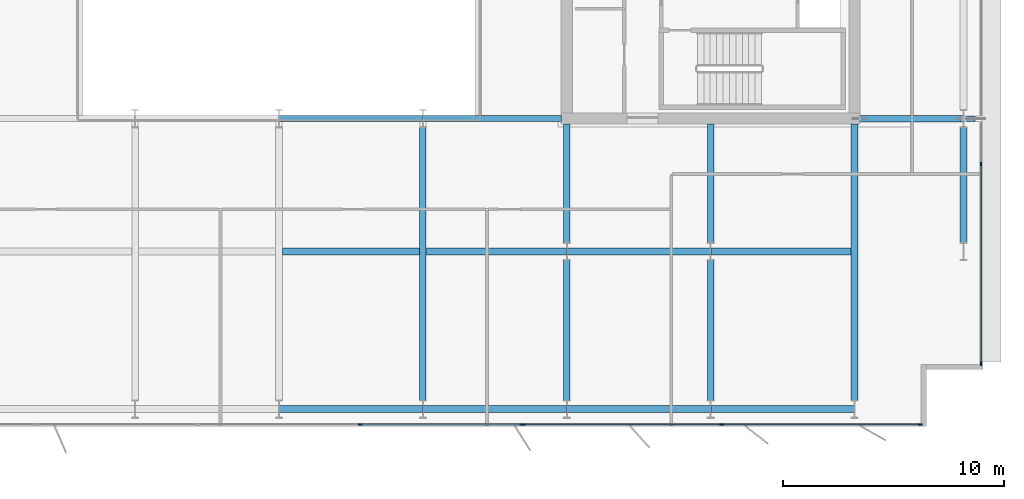
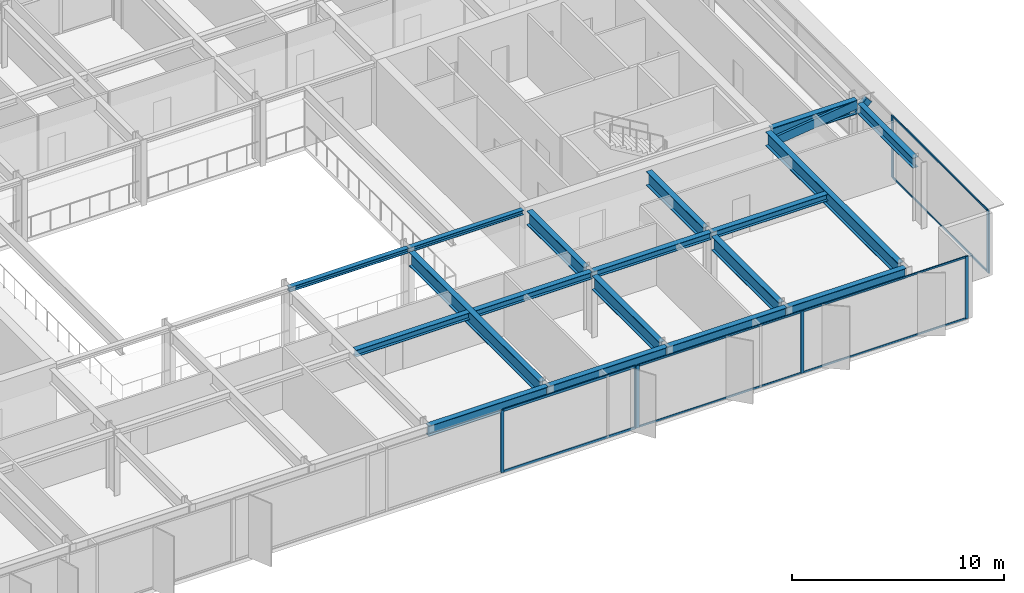
# One storey, part 5 of 19: 18 beams, 17 members, 3 elements without a shape of their own.
"""IFC4 building model written with IfcOpenShell, lengths in metres."""

from ifc_helpers import new_model, si_unit, direction, frame, origin, origin_2d, place, context, subcontext, project, spatial, rectangle, hollow_rectangle, i_section, extrude, material, layer, layer_set, material_profile, profile_set, type_object, element, aggregate, save


model = new_model("IFC4")

# Units and contexts
model_context = context("Model", 3, precision=1e-05, world=origin(), true_north=direction((0.0, 1.0)))
body_context = subcontext(model_context, "Body", "Model", "MODEL_VIEW")
ifc_project = project(units=[si_unit("LENGTHUNIT", "METRE"), si_unit("AREAUNIT", "SQUARE_METRE"), si_unit("VOLUMEUNIT", "CUBIC_METRE"), si_unit("PLANEANGLEUNIT", "RADIAN"), si_unit("MASSUNIT", "GRAM", prefix="KILO")], contexts=[model_context])

# Site, building, storey
site_placement = place(None, origin())
site = spatial("IfcSite", under=ifc_project, at=site_placement, CompositionType="ELEMENT")
building_placement = place(site_placement, origin())
building = spatial("IfcBuilding", under=site, at=building_placement, Name="Putna Gate Headquarters", CompositionType="ELEMENT")
storey_placement = place(building_placement, frame((0.0, 0.0, 255.60009765625)))
storey = spatial("IfcBuildingStorey", under=building, at=storey_placement, Name="L64", CompositionType="ELEMENT", Elevation=255.60009765625)

# Beams
ifc_material_1 = material(Name="Steel S355J2", Category="steel")
ifc_material_profile_1 = material_profile(ifc_material_1, i_section(OverallWidth=0.260009765625, OverallDepth=0.260009765625, WebThickness=0.010009765625, FlangeThickness=0.017578125, at=origin_2d()), Name="Steel S355J2")
ifc_profile_set_1 = profile_set([ifc_material_profile_1], Name="Steel S355J2")
beam_type_1 = type_object("IfcBeamType", Name="BM-ATRIUM-HEB260", PredefinedType="BEAM", material=ifc_profile_set_1)
beam_1_placement = place(storey_placement, frame((39.006103515625, 19.0, 3.4580078125), z_axis=(1.0, 0.0, 0.0), x_axis=(0.0, 1.0, 0.0)))
element("IfcBeam", 1, at=beam_1_placement, inside=storey, type_object=beam_type_1, Name="L64 Atrium Edge Beam AS3", PredefinedType="BEAM", context=body_context, shape_type="SweptSolid", body=[
    extrude(i_section(OverallWidth=0.260009765625, OverallDepth=0.260009765625, WebThickness=0.010009765625, FlangeThickness=0.017578125, at=origin_2d()), origin(), (0.0, 0.0, 1.0), 6.48779296875),
])
beam_2_placement = place(storey_placement, frame((45.506103515625, 19.0, 3.4580078125), z_axis=(1.0, 0.0, 0.0), x_axis=(0.0, 1.0, 0.0)))
element("IfcBeam", 2, at=beam_2_placement, inside=storey, type_object=beam_type_1, Name="L64 Atrium Edge Beam AS4", PredefinedType="BEAM", context=body_context, shape_type="SweptSolid", body=[
    extrude(i_section(OverallWidth=0.260009765625, OverallDepth=0.260009765625, WebThickness=0.010009765625, FlangeThickness=0.017578125, at=origin_2d()), origin(), (0.0, 0.0, 1.0), 6.2587890625),
])
ifc_material_profile_2 = material_profile(ifc_material_1, i_section(OverallWidth=0.300048828125, OverallDepth=0.800048828125, WebThickness=0.017578125, FlangeThickness=0.032958984375, at=origin_2d()), Name="Steel S355J2")
ifc_profile_set_2 = profile_set([ifc_material_profile_2], Name="Steel S355J2")
beam_type_2 = type_object("IfcBeamType", Name="BM-GIRD-P-HEB800", PredefinedType="USERDEFINED", material=ifc_profile_set_2)
beam_3_placement = place(storey_placement, frame((65.235107421875, 19.0, 3.18798828125), z_axis=(1.0, 0.0, 0.0), x_axis=(0.0, 1.0, 0.0)))
element("IfcBeam", 3, at=beam_3_placement, inside=storey, type_object=beam_type_2, Name="L64 East Wing Girder Y19", ObjectType="GIRDER", PredefinedType="USERDEFINED", context=body_context, shape_type="SweptSolid", body=[
    extrude(i_section(OverallWidth=0.300048828125, OverallDepth=0.800048828125, WebThickness=0.017578125, FlangeThickness=0.032958984375, at=origin_2d()), origin(), (0.0, 0.0, 1.0), 4.678955078125),
])
beam_4_placement = place(storey_placement, frame((45.5, 6.27490234375, 3.18798828125), z_axis=(0.0, 1.0, 0.0), x_axis=(-1.0, 0.0, 0.0)))
element("IfcBeam", 4, at=beam_4_placement, inside=storey, type_object=beam_type_2, Name="L64 South Primary Girder X45", ObjectType="GIRDER", PredefinedType="USERDEFINED", context=body_context, shape_type="SweptSolid", body=[
    extrude(i_section(OverallWidth=0.300048828125, OverallDepth=0.800048828125, WebThickness=0.017578125, FlangeThickness=0.032958984375, at=origin_2d()), origin(), (0.0, 0.0, 1.0), 12.330078125),
])
beam_5_placement = place(storey_placement, frame((52.0, 6.27490234375, 3.18798828125), z_axis=(0.0, 1.0, 0.0), x_axis=(-1.0, 0.0, 0.0)))
element("IfcBeam", 5, at=beam_5_placement, inside=storey, type_object=beam_type_2, Name="L64 South Primary Girder X52-1", ObjectType="GIRDER", PredefinedType="USERDEFINED", context=body_context, shape_type="SweptSolid", body=[
    extrude(i_section(OverallWidth=0.300048828125, OverallDepth=0.800048828125, WebThickness=0.017578125, FlangeThickness=0.032958984375, at=origin_2d()), origin(), (0.0, 0.0, 1.0), 6.330078125),
])
beam_6_placement = place(storey_placement, frame((52.0, 13.39501953125, 3.18798828125), z_axis=(0.0, 1.0, 0.0), x_axis=(-1.0, 0.0, 0.0)))
element("IfcBeam", 6, at=beam_6_placement, inside=storey, type_object=beam_type_2, Name="L64 South Primary Girder X52-2", ObjectType="GIRDER", PredefinedType="USERDEFINED", context=body_context, shape_type="SweptSolid", body=[
    extrude(i_section(OverallWidth=0.300048828125, OverallDepth=0.800048828125, WebThickness=0.017578125, FlangeThickness=0.032958984375, at=origin_2d()), origin(), (0.0, 0.0, 1.0), 5.369873046875),
])
beam_7_placement = place(storey_placement, frame((58.5, 6.27490234375, 3.18798828125), z_axis=(0.0, 1.0, 0.0), x_axis=(-1.0, 0.0, 0.0)))
element("IfcBeam", 7, at=beam_7_placement, inside=storey, type_object=beam_type_2, Name="L64 South Primary Girder X58-1", ObjectType="GIRDER", PredefinedType="USERDEFINED", context=body_context, shape_type="SweptSolid", body=[
    extrude(i_section(OverallWidth=0.300048828125, OverallDepth=0.800048828125, WebThickness=0.017578125, FlangeThickness=0.032958984375, at=origin_2d()), origin(), (0.0, 0.0, 1.0), 6.330078125),
])
beam_8_placement = place(storey_placement, frame((58.5, 13.39501953125, 3.18798828125), z_axis=(0.0, 1.0, 0.0), x_axis=(-1.0, 0.0, 0.0)))
element("IfcBeam", 8, at=beam_8_placement, inside=storey, type_object=beam_type_2, Name="L64 South Primary Girder X58-2", ObjectType="GIRDER", PredefinedType="USERDEFINED", context=body_context, shape_type="SweptSolid", body=[
    extrude(i_section(OverallWidth=0.300048828125, OverallDepth=0.800048828125, WebThickness=0.017578125, FlangeThickness=0.032958984375, at=origin_2d()), origin(), (0.0, 0.0, 1.0), 5.369873046875),
])
beam_9_placement = place(storey_placement, frame((65.0, 6.27490234375, 3.18798828125), z_axis=(0.0, 1.0, 0.0), x_axis=(-1.0, 0.0, 0.0)))
element("IfcBeam", 9, at=beam_9_placement, inside=storey, type_object=beam_type_2, Name="L64 South Primary Girder X65", ObjectType="GIRDER", PredefinedType="USERDEFINED", context=body_context, shape_type="SweptSolid", body=[
    extrude(i_section(OverallWidth=0.300048828125, OverallDepth=0.800048828125, WebThickness=0.017578125, FlangeThickness=0.032958984375, at=origin_2d()), origin(), (0.0, 0.0, 1.0), 12.489990234375),
])
ifc_material_profile_3 = material_profile(ifc_material_1, i_section(OverallWidth=0.300048828125, OverallDepth=0.389892578125, WebThickness=0.010986328125, FlangeThickness=0.01904296875, at=origin_2d()), Name="Steel S355J2")
ifc_profile_set_3 = profile_set([ifc_material_profile_3], Name="Steel S355J2")
beam_type_3 = type_object("IfcBeamType", Name="BM-SEC-Z5-HEA400", PredefinedType="BEAM", material=ifc_profile_set_3)
beam_10_placement = place(storey_placement, frame((39.154052734375, 13.0, 3.392822265625), z_axis=(1.0, 0.0, 0.0), x_axis=(0.0, 1.0, 0.0)))
element("IfcBeam", 10, at=beam_10_placement, inside=storey, type_object=beam_type_3, Name="L64 South Secondary Beam 5", PredefinedType="BEAM", context=body_context, shape_type="SweptSolid", body=[
    extrude(i_section(OverallWidth=0.300048828125, OverallDepth=0.389892578125, WebThickness=0.010986328125, FlangeThickness=0.01904296875, at=origin_2d()), origin(), (0.0, 0.0, 1.0), 6.19189453125),
])
beam_11_placement = place(storey_placement, frame((45.654052734375, 13.0, 3.392822265625), z_axis=(1.0, 0.0, 0.0), x_axis=(0.0, 1.0, 0.0)))
element("IfcBeam", 11, at=beam_11_placement, inside=storey, type_object=beam_type_3, Name="L64 South Secondary Beam 6", PredefinedType="BEAM", context=body_context, shape_type="SweptSolid", body=[
    extrude(i_section(OverallWidth=0.300048828125, OverallDepth=0.389892578125, WebThickness=0.010986328125, FlangeThickness=0.01904296875, at=origin_2d()), origin(), (0.0, 0.0, 1.0), 6.33984375),
])
beam_12_placement = place(storey_placement, frame((52.006103515625, 13.0, 3.392822265625), z_axis=(1.0, 0.0, 0.0), x_axis=(0.0, 1.0, 0.0)))
element("IfcBeam", 12, at=beam_12_placement, inside=storey, type_object=beam_type_3, Name="L64 South Secondary Beam 7", PredefinedType="BEAM", context=body_context, shape_type="SweptSolid", body=[
    extrude(i_section(OverallWidth=0.300048828125, OverallDepth=0.389892578125, WebThickness=0.010986328125, FlangeThickness=0.01904296875, at=origin_2d()), origin(), (0.0, 0.0, 1.0), 6.48779296875),
])
beam_13_placement = place(storey_placement, frame((58.506103515625, 13.0, 3.392822265625), z_axis=(1.0, 0.0, 0.0), x_axis=(0.0, 1.0, 0.0)))
element("IfcBeam", 13, at=beam_13_placement, inside=storey, type_object=beam_type_3, Name="L64 South Secondary Beam 8", PredefinedType="BEAM", context=body_context, shape_type="SweptSolid", body=[
    extrude(i_section(OverallWidth=0.300048828125, OverallDepth=0.389892578125, WebThickness=0.010986328125, FlangeThickness=0.01904296875, at=origin_2d()), origin(), (0.0, 0.0, 1.0), 6.33984375),
])
ifc_material_profile_4 = material_profile(ifc_material_1, i_section(OverallWidth=0.300048828125, OverallDepth=0.590087890625, WebThickness=0.012939453125, FlangeThickness=0.02490234375, at=origin_2d()), Name="Steel S355J2")
ifc_profile_set_4 = profile_set([ifc_material_profile_4], Name="Steel S355J2")
beam_type_4 = type_object("IfcBeamType", Name="BM-SPAN-Z4-HEA600", PredefinedType="SPANDREL", material=ifc_profile_set_4)
for number, where, z_axis, x_axis, name in (
    (14, (39.006103515625, 5.8798828125, 3.29296875), (1.0, 0.0, 0.0), (0.0, 1.0, 0.0), "L64 S Perimeter Spandrel 5"),
    (15, (45.506103515625, 5.8798828125, 3.29296875), (1.0, 0.0, 0.0), (0.0, 1.0, 0.0), "L64 S Perimeter Spandrel 6"),
    (16, (52.006103515625, 5.8798828125, 3.29296875), (1.0, 0.0, 0.0), (0.0, 1.0, 0.0), "L64 S Perimeter Spandrel 7"),
    (17, (58.506103515625, 5.8798828125, 3.29296875), (1.0, 0.0, 0.0), (0.0, 1.0, 0.0), "L64 S Perimeter Spandrel 8"),
):
    element("IfcBeam", number, at=place(storey_placement, frame(where, z_axis=z_axis, x_axis=x_axis)), inside=storey, type_object=beam_type_4, Name=name, PredefinedType="SPANDREL", context=body_context, shape_type="SweptSolid", body=[
        extrude(i_section(OverallWidth=0.300048828125, OverallDepth=0.590087890625, WebThickness=0.012939453125, FlangeThickness=0.02490234375, at=origin_2d()), origin(), (0.0, 0.0, 1.0), 6.48779296875),
    ])
beam_14_placement = place(storey_placement, frame((69.919921875, 13.39501953125, 3.29296875), z_axis=(0.0, 1.0, 0.0), x_axis=(-1.0, 0.0, 0.0)))
element("IfcBeam", 18, at=beam_14_placement, inside=storey, type_object=beam_type_4, Name="L64 E End Spandrel 1", PredefinedType="SPANDREL", context=body_context, shape_type="SweptSolid", body=[
    extrude(i_section(OverallWidth=0.300048828125, OverallDepth=0.590087890625, WebThickness=0.012939453125, FlangeThickness=0.02490234375, at=origin_2d()), origin(), (0.0, 0.0, 1.0), 5.2099609375),
])

# Members
ifc_material_2 = material(Name="Steel S460M", Category="steel")
ifc_material_profile_5 = material_profile(ifc_material_2, hollow_rectangle(XDim=0.300048828125, YDim=0.5, WallThickness=0.02001953125, at=origin_2d()), Name="Steel S460M")
ifc_profile_set_5 = profile_set([ifc_material_profile_5], Name="Steel S460M")
member_type_1 = type_object("IfcMemberType", Name="MEM-SAIL-ARC-RHS500", PredefinedType="STRUT", material=ifc_profile_set_5)
member_1_placement = place(storey_placement, frame((65.259765625, 19.0, 2.75244140625), z_axis=(0.99221678719, 0.0, 0.124522476761), x_axis=(0.0, 1.0, 0.0)))
element("IfcMember", 19, at=member_1_placement, inside=storey, type_object=member_type_1, Name="L64 East Sail Transfer Arc Strut Y19", PredefinedType="STRUT", context=body_context, shape_type="SweptSolid", body=[
    extrude(hollow_rectangle(XDim=0.300048828125, YDim=0.5, WallThickness=0.02001953125, at=origin_2d()), origin(), (0.0, 0.0, 1.0), 4.681884765625),
])
ifc_material_profile_6 = material_profile(ifc_material_2, hollow_rectangle(XDim=0.25, YDim=0.39990234375, WallThickness=0.01611328125, at=origin_2d()), Name="Steel S460M")
ifc_profile_set_6 = profile_set([ifc_material_profile_6], Name="Steel S460M")
member_type_2 = type_object("IfcMemberType", Name="MEM-SAIL-BRACE-RHS400", PredefinedType="BRACE", material=ifc_profile_set_6)
member_2_placement = place(storey_placement, frame((69.9296875, 19.0, 2.763427734375), z_axis=(0.736504321271, 0.0, 0.676432838314), x_axis=(0.0, 1.0, 0.0)))
element("IfcMember", 20, at=member_2_placement, inside=storey, type_object=member_type_2, Name="L64 East Sail Cantilever Raker Y19", PredefinedType="BRACE", context=body_context, shape_type="SweptSolid", body=[
    extrude(hollow_rectangle(XDim=0.25, YDim=0.39990234375, WallThickness=0.01611328125, at=origin_2d()), origin(), (0.0, 0.0, 1.0), 0.873779296875),
])

# Curtain wall, members
ifc_material_3 = material(Name="Anodised bronze aluminium curtain wall", Category="aluminium")
ifc_layer_1 = layer(ifc_material_3, 0.179931640625)
ifc_layer_set_1 = layer_set([ifc_layer_1], Name="Anodised bronze aluminium curtain wall")
curtain_wall_type_1 = type_object("IfcCurtainWallType", Name="CW-SYS-Z5", PredefinedType="USERDEFINED", material=ifc_layer_set_1)
curtain_wall_1_placement = place(storey_placement, origin())
curtain_wall_1 = element("IfcCurtainWall", 21, at=curtain_wall_1_placement, inside=storey, type_object=curtain_wall_type_1, Name="L64 South East Curtain Wall", ObjectType="STICK CURTAIN WALL", PredefinedType="USERDEFINED")
ifc_material_4 = material(Name="Anodised bronze aluminium EN AW-6060", Category="aluminium")
ifc_material_profile_7 = material_profile(ifc_material_4, rectangle(XDim=0.070068359375, YDim=0.179931640625, at=origin_2d()), Name="Anodised bronze aluminium EN AW-6060")
ifc_profile_set_7 = profile_set([ifc_material_profile_7], Name="Anodised bronze aluminium EN AW-6060")
member_type_3 = type_object("IfcMemberType", Name="MULL-CWM-5", PredefinedType="MULLION", material=ifc_profile_set_7)
member_3_placement = place(storey_placement, frame((50.034912109375, 5.179931640625, 0.0), z_axis=(0.0, 0.0, 1.0), x_axis=(0.0, 1.0, 0.0)))
member_3 = element("IfcMember", 22, at=member_3_placement, type_object=member_type_3, Name="CWS-5 mullion 1", PredefinedType="MULLION", context=body_context, shape_type="SweptSolid", body=[
    extrude(rectangle(XDim=0.070068359375, YDim=0.179931640625, at=origin_2d()), origin(), (0.0, 0.0, 1.0), 3.587890625),
])
member_4_placement = place(storey_placement, frame((59.0, 5.179931640625, 0.0), z_axis=(0.0, 0.0, 1.0), x_axis=(0.0, 1.0, 0.0)))
member_4 = element("IfcMember", 23, at=member_4_placement, type_object=member_type_3, Name="CWS-5 mullion 2", PredefinedType="MULLION", context=body_context, shape_type="SweptSolid", body=[
    extrude(rectangle(XDim=0.070068359375, YDim=0.179931640625, at=origin_2d()), origin(), (0.0, 0.0, 1.0), 3.587890625),
])
member_5_placement = place(storey_placement, frame((67.965087890625, 5.179931640625, 0.0), z_axis=(0.0, 0.0, 1.0), x_axis=(0.0, 1.0, 0.0)))
member_5 = element("IfcMember", 24, at=member_5_placement, type_object=member_type_3, Name="CWS-5 mullion 3", PredefinedType="MULLION", context=body_context, shape_type="SweptSolid", body=[
    extrude(rectangle(XDim=0.070068359375, YDim=0.179931640625, at=origin_2d()), origin(), (0.0, 0.0, 1.0), 3.587890625),
])

curtain_wall_2_placement = place(storey_placement, origin())
curtain_wall_2 = element("IfcCurtainWall", 25, at=curtain_wall_2_placement, inside=storey, type_object=curtain_wall_type_1, Name="L64 East Curtain Wall", ObjectType="STICK CURTAIN WALL", PredefinedType="USERDEFINED")
member_6_placement = place(storey_placement, frame((70.719970703125, 7.93505859375, 0.0), z_axis=(0.0, 0.0, 1.0), x_axis=(-1.0, 0.0, 0.0)))
member_6 = element("IfcMember", 26, at=member_6_placement, type_object=member_type_3, Name="CWS-5 mullion 1", PredefinedType="MULLION", context=body_context, shape_type="SweptSolid", body=[
    extrude(rectangle(XDim=0.070068359375, YDim=0.179931640625, at=origin_2d()), origin(), (0.0, 0.0, 1.0), 3.587890625),
])
member_7_placement = place(storey_placement, frame((70.719970703125, 16.949951171875, 0.0), z_axis=(0.0, 0.0, 1.0), x_axis=(-1.0, 0.0, 0.0)))
member_7 = element("IfcMember", 27, at=member_7_placement, type_object=member_type_3, Name="CWS-5 mullion 2", PredefinedType="MULLION", context=body_context, shape_type="SweptSolid", body=[
    extrude(rectangle(XDim=0.070068359375, YDim=0.179931640625, at=origin_2d()), origin(), (0.0, 0.0, 1.0), 3.587890625),
])

ifc_layer_2 = layer(ifc_material_3, 0.179931640625)
ifc_layer_set_2 = layer_set([ifc_layer_2], Name="Anodised bronze aluminium curtain wall")
curtain_wall_type_2 = type_object("IfcCurtainWallType", Name="CW-SYS-ATR", PredefinedType="USERDEFINED", material=ifc_layer_set_2)
curtain_wall_3_placement = place(storey_placement, origin())
curtain_wall_3 = element("IfcCurtainWall", 28, at=curtain_wall_3_placement, inside=storey, type_object=curtain_wall_type_2, Name="L64 South Atrium Clear Glazing", ObjectType="ATRIUM GLAZING", PredefinedType="USERDEFINED")
ifc_material_profile_8 = material_profile(ifc_material_4, rectangle(XDim=0.070068359375, YDim=0.179931640625, at=origin_2d()), Name="Anodised bronze aluminium EN AW-6060")
ifc_profile_set_8 = profile_set([ifc_material_profile_8], Name="Anodised bronze aluminium EN AW-6060")
member_type_4 = type_object("IfcMemberType", Name="MULL-CWM-AT", PredefinedType="MULLION", material=ifc_profile_set_8)
member_8_placement = place(storey_placement, frame((42.666748046875, 5.179931640625, 0.0), z_axis=(0.0, 0.0, 1.0), x_axis=(0.0, 1.0, 0.0)))
member_8 = element("IfcMember", 29, at=member_8_placement, type_object=member_type_4, Name="CWS-AT mullion 3", PredefinedType="MULLION", context=body_context, shape_type="SweptSolid", body=[
    extrude(rectangle(XDim=0.070068359375, YDim=0.179931640625, at=origin_2d()), origin(), (0.0, 0.0, 1.0), 3.587890625),
])
member_9_placement = place(storey_placement, frame((49.965087890625, 5.179931640625, 0.0), z_axis=(0.0, 0.0, 1.0), x_axis=(0.0, 1.0, 0.0)))
member_9 = element("IfcMember", 30, at=member_9_placement, type_object=member_type_4, Name="CWS-AT mullion 4", PredefinedType="MULLION", context=body_context, shape_type="SweptSolid", body=[
    extrude(rectangle(XDim=0.070068359375, YDim=0.179931640625, at=origin_2d()), origin(), (0.0, 0.0, 1.0), 3.587890625),
])

# Member
ifc_material_profile_9 = material_profile(ifc_material_4, rectangle(XDim=0.06005859375, YDim=0.10009765625, at=origin_2d()), Name="Anodised bronze aluminium EN AW-6060")
ifc_profile_set_9 = profile_set([ifc_material_profile_9], Name="Anodised bronze aluminium EN AW-6060")
member_type_5 = type_object("IfcMemberType", Name="TRAN-CWT-5", PredefinedType="USERDEFINED", material=ifc_profile_set_9)
member_10_placement = place(storey_placement, frame((50.070068359375, 5.179931640625, 0.02978515625), z_axis=(1.0, 0.0, 0.0), x_axis=(0.0, 1.0, 0.0)))
member_10 = element("IfcMember", 31, at=member_10_placement, type_object=member_type_5, Name="CWS-5 transom 1.1", ObjectType="TRANSOM", PredefinedType="USERDEFINED", context=body_context, shape_type="SweptSolid", body=[
    extrude(rectangle(XDim=0.06005859375, YDim=0.10009765625, at=origin_2d()), origin(), (0.0, 0.0, 1.0), 8.89501953125),
])

member_11_placement = place(storey_placement, frame((50.070068359375, 5.179931640625, 3.557861328125), z_axis=(1.0, 0.0, 0.0), x_axis=(0.0, 1.0, 0.0)))
member_11 = element("IfcMember", 32, at=member_11_placement, type_object=member_type_5, Name="CWS-5 transom 1.2", ObjectType="TRANSOM", PredefinedType="USERDEFINED", context=body_context, shape_type="SweptSolid", body=[
    extrude(rectangle(XDim=0.06005859375, YDim=0.10009765625, at=origin_2d()), origin(), (0.0, 0.0, 1.0), 8.89501953125),
])

member_12_placement = place(storey_placement, frame((59.034912109375, 5.179931640625, 0.02978515625), z_axis=(1.0, 0.0, 0.0), x_axis=(0.0, 1.0, 0.0)))
member_12 = element("IfcMember", 33, at=member_12_placement, type_object=member_type_5, Name="CWS-5 transom 2.1", ObjectType="TRANSOM", PredefinedType="USERDEFINED", context=body_context, shape_type="SweptSolid", body=[
    extrude(rectangle(XDim=0.06005859375, YDim=0.10009765625, at=origin_2d()), origin(), (0.0, 0.0, 1.0), 8.89501953125),
])

member_13_placement = place(storey_placement, frame((59.034912109375, 5.179931640625, 3.557861328125), z_axis=(1.0, 0.0, 0.0), x_axis=(0.0, 1.0, 0.0)))
member_13 = element("IfcMember", 34, at=member_13_placement, type_object=member_type_5, Name="CWS-5 transom 2.2", ObjectType="TRANSOM", PredefinedType="USERDEFINED", context=body_context, shape_type="SweptSolid", body=[
    extrude(rectangle(XDim=0.06005859375, YDim=0.10009765625, at=origin_2d()), origin(), (0.0, 0.0, 1.0), 8.89501953125),
])

aggregate(curtain_wall_1, [member_3, member_4, member_5, member_10, member_11, member_12, member_13])

member_14_placement = place(storey_placement, frame((70.719970703125, 7.969970703125, 0.02978515625), z_axis=(0.0, 1.0, 0.0), x_axis=(-1.0, 0.0, 0.0)))
member_14 = element("IfcMember", 35, at=member_14_placement, type_object=member_type_5, Name="CWS-5 transom 1.1", ObjectType="TRANSOM", PredefinedType="USERDEFINED", context=body_context, shape_type="SweptSolid", body=[
    extrude(rectangle(XDim=0.06005859375, YDim=0.10009765625, at=origin_2d()), origin(), (0.0, 0.0, 1.0), 8.945068359375),
])

member_15_placement = place(storey_placement, frame((70.719970703125, 7.969970703125, 3.557861328125), z_axis=(0.0, 1.0, 0.0), x_axis=(-1.0, 0.0, 0.0)))
member_15 = element("IfcMember", 36, at=member_15_placement, type_object=member_type_5, Name="CWS-5 transom 1.2", ObjectType="TRANSOM", PredefinedType="USERDEFINED", context=body_context, shape_type="SweptSolid", body=[
    extrude(rectangle(XDim=0.06005859375, YDim=0.10009765625, at=origin_2d()), origin(), (0.0, 0.0, 1.0), 8.945068359375),
])

aggregate(curtain_wall_2, [member_6, member_7, member_14, member_15])

ifc_material_profile_10 = material_profile(ifc_material_4, rectangle(XDim=0.070068359375, YDim=0.139892578125, at=origin_2d()), Name="Anodised bronze aluminium EN AW-6060")
ifc_profile_set_10 = profile_set([ifc_material_profile_10], Name="Anodised bronze aluminium EN AW-6060")
member_type_6 = type_object("IfcMemberType", Name="TRAN-CWT-AT", PredefinedType="USERDEFINED", material=ifc_profile_set_10)
member_16_placement = place(storey_placement, frame((42.70166015625, 5.179931640625, 0.034912109375), z_axis=(1.0, 0.0, 0.0), x_axis=(0.0, 1.0, 0.0)))
member_16 = element("IfcMember", 37, at=member_16_placement, type_object=member_type_6, Name="CWS-AT transom 3.1", ObjectType="TRANSOM", PredefinedType="USERDEFINED", context=body_context, shape_type="SweptSolid", body=[
    extrude(rectangle(XDim=0.070068359375, YDim=0.139892578125, at=origin_2d()), origin(), (0.0, 0.0, 1.0), 7.228271484375),
])

member_17_placement = place(storey_placement, frame((42.70166015625, 5.179931640625, 3.552978515625), z_axis=(1.0, 0.0, 0.0), x_axis=(0.0, 1.0, 0.0)))
member_17 = element("IfcMember", 38, at=member_17_placement, type_object=member_type_6, Name="CWS-AT transom 3.2", ObjectType="TRANSOM", PredefinedType="USERDEFINED", context=body_context, shape_type="SweptSolid", body=[
    extrude(rectangle(XDim=0.070068359375, YDim=0.139892578125, at=origin_2d()), origin(), (0.0, 0.0, 1.0), 7.228271484375),
])

aggregate(curtain_wall_3, [member_8, member_9, member_16, member_17])

save(model, "model.ifc")
